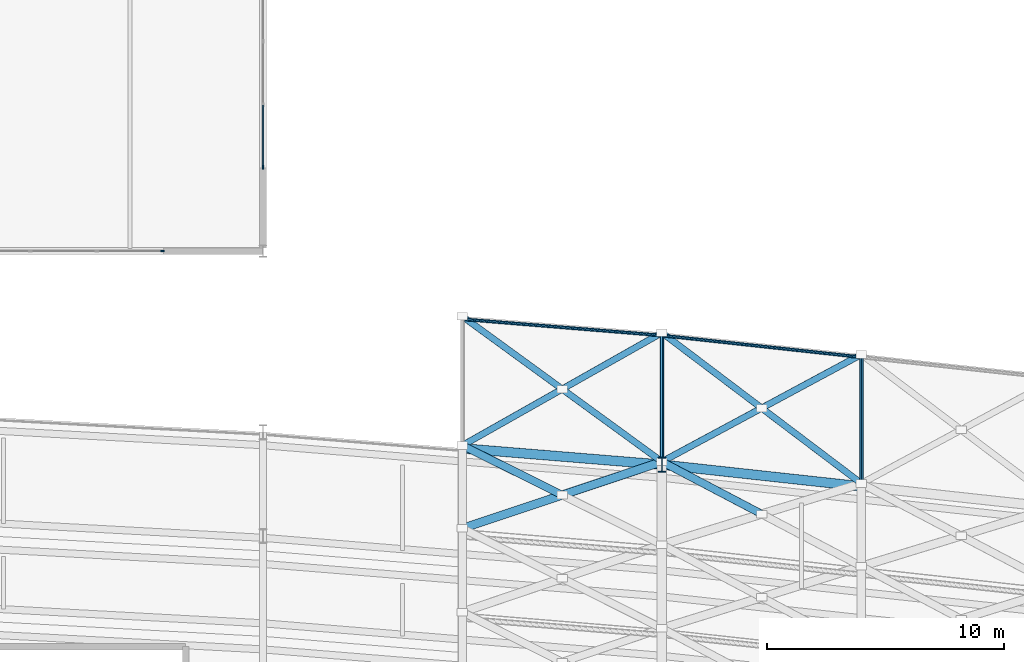
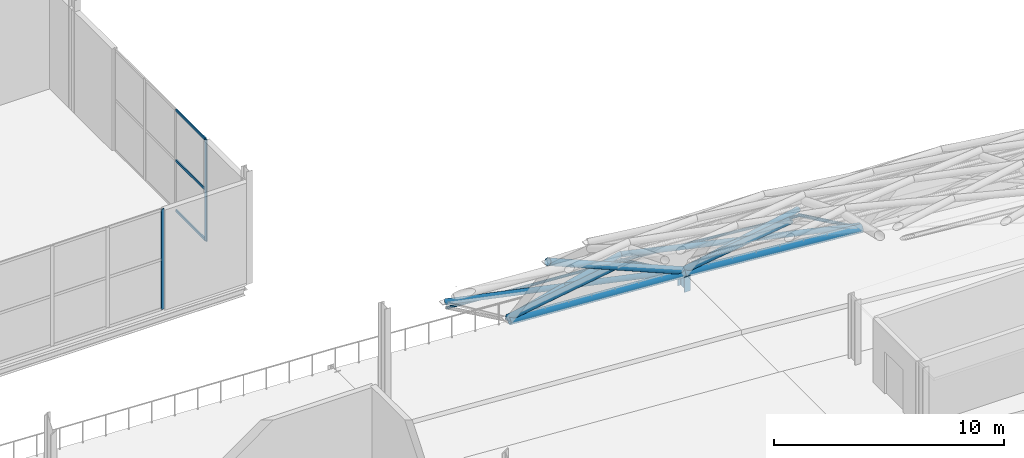
# One storey, part 59 of 100: 21 members, 2 elements without a shape of their own.
"""IFC4 building model written with IfcOpenShell, lengths in metres."""

from ifc_helpers import new_model, si_unit, direction, frame, origin, origin_2d, place, context, subcontext, project, spatial, rectangle, hollow_circle, i_section, extrude, material, material_profile, profile_set, type_object, element, aggregate, save


model = new_model("IFC4")

# Units and contexts
model_context = context("Model", 3, precision=1e-05, world=origin(), true_north=direction((0.0, 1.0)))
body_context = subcontext(model_context, "Body", "Model", "MODEL_VIEW")
ifc_project = project(units=[si_unit("LENGTHUNIT", "METRE"), si_unit("AREAUNIT", "SQUARE_METRE"), si_unit("VOLUMEUNIT", "CUBIC_METRE"), si_unit("PLANEANGLEUNIT", "RADIAN"), si_unit("MASSUNIT", "GRAM", prefix="KILO")], contexts=[model_context])

# Site, building, storey
site_placement = place(None, origin())
site = spatial("IfcSite", under=ifc_project, at=site_placement, CompositionType="ELEMENT")
building_placement = place(site_placement, origin())
building = spatial("IfcBuilding", under=site, at=building_placement, Name="Kimbaza Rail Terminus", CompositionType="ELEMENT")
storey_placement = place(building_placement, frame((0.0, 0.0, 10.800048828125)))
storey = spatial("IfcBuildingStorey", under=building, at=storey_placement, Name="L02", CompositionType="ELEMENT", Elevation=10.800048828125)

# Curtain wall, member
ifc_material_1 = material(Name="Anodised aluminium framing and solar low-E glazing", Category="aluminium")
curtain_wall_type = type_object("IfcCurtainWallType", Name="ARC-CW-OP1", PredefinedType="USERDEFINED", material=ifc_material_1)
curtain_wall_1_placement = place(storey_placement, origin())
curtain_wall_1 = element("IfcCurtainWall", 1, at=curtain_wall_1_placement, inside=storey, type_object=curtain_wall_type, Name="Operations South Curtain Wall L02 Bay 6", ObjectType="UNITISED CURTAIN WALL", PredefinedType="USERDEFINED")
ifc_material_2 = material(Name="Anodised architectural aluminium", Category="aluminium")
ifc_material_profile_1 = material_profile(ifc_material_2, rectangle(XDim=0.06201171875, YDim=0.1650390625, at=origin_2d()), Name="MULLION 62x165")
ifc_profile_set_1 = profile_set([ifc_material_profile_1], Name="Anodised architectural aluminium")
member_type_1 = type_object("IfcMemberType", Name="ARC-CWM-05", PredefinedType="MULLION", material=ifc_profile_set_1)
member_1_placement = place(storey_placement, frame((151.76904296875, 103.0, 0.0), z_axis=(0.0, 0.0, 1.0), x_axis=(0.0, 1.0, 0.0)))
member_1 = element("IfcMember", 2, at=member_1_placement, type_object=member_type_1, Name="CW-05 mullion 4", PredefinedType="MULLION", context=body_context, shape_type="SweptSolid", body=[
    extrude(rectangle(XDim=0.06201171875, YDim=0.1650390625, at=origin_2d()), origin(), (0.0, 0.0, 1.0), 5.324951171875),
])
aggregate(curtain_wall_1, [member_1])

# Curtain wall, members
curtain_wall_2_placement = place(storey_placement, origin())
curtain_wall_2 = element("IfcCurtainWall", 3, at=curtain_wall_2_placement, inside=storey, type_object=curtain_wall_type, Name="Operations E Curtain Wall L02.1", ObjectType="UNITISED CURTAIN WALL", PredefinedType="USERDEFINED")
member_2_placement = place(storey_placement, frame((156.0, 106.531005859375, 0.0), z_axis=(0.0, 0.0, 1.0), x_axis=(-1.0, 0.0, 0.0)))
member_2 = element("IfcMember", 4, at=member_2_placement, type_object=member_type_1, Name="CW-05 mullion 1", PredefinedType="MULLION", context=body_context, shape_type="SweptSolid", body=[
    extrude(rectangle(XDim=0.06201171875, YDim=0.1650390625, at=origin_2d()), origin(), (0.0, 0.0, 1.0), 5.405029296875),
])
ifc_material_3 = material(Name="Anodised architectural aluminium", Category="aluminium")
ifc_material_profile_2 = material_profile(ifc_material_3, rectangle(XDim=0.06201171875, YDim=0.135009765625, at=origin_2d()), Name="TRANSOM 62x135")
ifc_profile_set_2 = profile_set([ifc_material_profile_2], Name="Anodised architectural aluminium")
member_type_2 = type_object("IfcMemberType", Name="ARC-CWT-05", PredefinedType="USERDEFINED", material=ifc_profile_set_2)
member_3_placement = place(storey_placement, frame((156.0, 106.56201171875, 0.031005859375), z_axis=(0.0, 1.0, 0.0), x_axis=(-1.0, 0.0, 0.0)))
member_3 = element("IfcMember", 5, at=member_3_placement, type_object=member_type_2, Name="CW-05 transom 1.1", ObjectType="TRANSOM", PredefinedType="USERDEFINED", context=body_context, shape_type="SweptSolid", body=[
    extrude(rectangle(XDim=0.06201171875, YDim=0.135009765625, at=origin_2d()), origin(), (0.0, 0.0, 1.0), 2.57373046875),
])
member_4_placement = place(storey_placement, frame((156.0, 106.56201171875, 2.702392578125), z_axis=(0.0, 1.0, 0.0), x_axis=(-1.0, 0.0, 0.0)))
member_4 = element("IfcMember", 6, at=member_4_placement, type_object=member_type_2, Name="CW-05 transom 1.2", ObjectType="TRANSOM", PredefinedType="USERDEFINED", context=body_context, shape_type="SweptSolid", body=[
    extrude(rectangle(XDim=0.06201171875, YDim=0.135009765625, at=origin_2d()), origin(), (0.0, 0.0, 1.0), 2.57373046875),
])
member_5_placement = place(storey_placement, frame((156.0, 106.56201171875, 5.3740234375), z_axis=(0.0, 1.0, 0.0), x_axis=(-1.0, 0.0, 0.0)))
member_5 = element("IfcMember", 7, at=member_5_placement, type_object=member_type_2, Name="CW-05 transom 1.3", ObjectType="TRANSOM", PredefinedType="USERDEFINED", context=body_context, shape_type="SweptSolid", body=[
    extrude(rectangle(XDim=0.06201171875, YDim=0.135009765625, at=origin_2d()), origin(), (0.0, 0.0, 1.0), 2.57373046875),
])
aggregate(curtain_wall_2, [member_2, member_3, member_4, member_5])

# Members
ifc_material_4 = material(Name="White painted steel S355", Category="steel")
ifc_material_profile_3 = material_profile(ifc_material_4, hollow_circle(Radius=0.06982421875, WallThickness=0.00634765625, at=origin_2d()), Name="CHS 139.7x6.3")
ifc_profile_set_3 = profile_set([ifc_material_profile_3], Name="White painted steel S355")
member_type_3 = type_object("IfcMemberType", Name="STR-MB-CHS139", PredefinedType="COLLAR", material=ifc_profile_set_3)
member_6_placement = place(storey_placement, frame((164.39990234375, 100.1328125, -2.62744140625), z_axis=(0.996688689454, -0.081312092054, 0.0), x_axis=(0.081312092054, 0.996688689454, 0.0)))
element("IfcMember", 8, at=member_6_placement, inside=storey, type_object=member_type_3, Name="Vault lattice longitudinal purlin VR-17-VA14", PredefinedType="COLLAR", context=body_context, shape_type="SweptSolid", body=[
    extrude(hollow_circle(Radius=0.06982421875, WallThickness=0.00634765625, at=origin_2d()), origin(), (0.0, 0.0, 1.0), 8.427978515625),
])
member_7_placement = place(storey_placement, frame((172.800048828125, 99.447509765625, -2.62744140625), z_axis=(0.99410959352, -0.108379500241, 0.0), x_axis=(0.108379500241, 0.99410959352, 0.0)))
element("IfcMember", 9, at=member_7_placement, inside=storey, type_object=member_type_3, Name="Vault lattice longitudinal purlin VR-18-VA14", PredefinedType="COLLAR", context=body_context, shape_type="SweptSolid", body=[
    extrude(hollow_circle(Radius=0.06982421875, WallThickness=0.00634765625, at=origin_2d()), origin(), (0.0, 0.0, 1.0), 8.44970703125),
])
ifc_material_5 = material(Name="White painted steel S355", Category="steel")
ifc_material_profile_4 = material_profile(ifc_material_5, hollow_circle(Radius=0.084228515625, WallThickness=0.00634765625, at=origin_2d()), Name="CHS 168.3x6.3")
ifc_profile_set_4 = profile_set([ifc_material_profile_4], Name="White painted steel S355")
member_type_4 = type_object("IfcMemberType", Name="STR-MB-CHS168", PredefinedType="RAFTER", material=ifc_profile_set_4)
for number, where, z_axis, x_axis, name in (
    (10, (172.800048828125, 94.00537109375, 0.0), (0.0, 0.901963905621, -0.431811432174), (-1.0, 0.0, 0.0), "Vault lattice arch chord VR-18 seg 14"),
    (11, (181.199951171875, 93.089599609375, 0.0), (0.0, 0.901963905621, -0.431811432174), (-1.0, 0.0, 0.0), "Vault lattice arch chord VR-19 seg 14"),
):
    element("IfcMember", number, at=place(storey_placement, frame(where, z_axis=z_axis, x_axis=x_axis)), inside=storey, type_object=member_type_4, Name=name, PredefinedType="RAFTER", context=body_context, shape_type="SweptSolid", body=[
        extrude(hollow_circle(Radius=0.084228515625, WallThickness=0.00634765625, at=origin_2d()), origin(), (0.0, 0.0, 1.0), 6.04296875),
    ])
ifc_material_6 = material(Name="White painted steel S355", Category="steel")
ifc_material_profile_5 = material_profile(ifc_material_6, hollow_circle(Radius=0.136474609375, WallThickness=0.010009765625, at=origin_2d()), Name="CHS 273x10")
ifc_profile_set_5 = profile_set([ifc_material_profile_5], Name="White painted steel S355")
member_type_5 = type_object("IfcMemberType", Name="STR-MB-CHS273", PredefinedType="STRUT", material=ifc_profile_set_5)
member_8_placement = place(storey_placement, frame((164.39990234375, 94.81494140625, 0.064208984375), z_axis=(0.844048010936, 0.477109011675, -0.244846781096), x_axis=(-0.492087270091, 0.870545873929, 0.0)))
element("IfcMember", 12, at=member_8_placement, inside=storey, type_object=member_type_5, Name="Vault lattice diagonal A VR-17-VA13", PredefinedType="STRUT", context=body_context, shape_type="SweptSolid", body=[
    extrude(hollow_circle(Radius=0.136474609375, WallThickness=0.010009765625, at=origin_2d()), origin(), (0.0, 0.0, 1.0), 9.9521484375),
])
member_9_placement = place(storey_placement, frame((172.800048828125, 94.1298828125, 0.064208984375), z_axis=(-0.78694630795, 0.573227006041, -0.228311865546), x_axis=(-0.588777774906, -0.808294953452, 0.0)))
element("IfcMember", 13, at=member_9_placement, inside=storey, type_object=member_type_5, Name="Vault lattice diagonal B1 VR-17-VA13", PredefinedType="STRUT", context=body_context, shape_type="SweptSolid", body=[
    extrude(hollow_circle(Radius=0.136474609375, WallThickness=0.010009765625, at=origin_2d()), origin(), (0.0, 0.0, 1.0), 5.3369140625),
])
member_10_placement = place(storey_placement, frame((168.60009765625, 97.189208984375, -1.154296875), z_axis=(-0.786971940542, 0.573212356832, -0.228260287335), x_axis=(-0.58875541475, -0.808311240552, 0.0)))
element("IfcMember", 14, at=member_10_placement, inside=storey, type_object=member_type_5, Name="Vault lattice diagonal B2 VR-17-VA13", PredefinedType="STRUT", context=body_context, shape_type="SweptSolid", body=[
    extrude(hollow_circle(Radius=0.136474609375, WallThickness=0.010009765625, at=origin_2d()), origin(), (0.0, 0.0, 1.0), 5.337158203125),
])
member_11_placement = place(storey_placement, frame((172.800048828125, 94.1298828125, 0.064208984375), z_axis=(0.853300104894, 0.458916036184, -0.247537881385), x_axis=(-0.473657089864, 0.88070935116, 0.0)))
element("IfcMember", 15, at=member_11_placement, inside=storey, type_object=member_type_5, Name="Vault lattice diagonal A VR-18-VA13", PredefinedType="STRUT", context=body_context, shape_type="SweptSolid", body=[
    extrude(hollow_circle(Radius=0.136474609375, WallThickness=0.010009765625, at=origin_2d()), origin(), (0.0, 0.0, 1.0), 9.843994140625),
])
member_12_placement = place(storey_placement, frame((181.199951171875, 93.2138671875, 0.064208984375), z_axis=(-0.777186181775, 0.587486433053, -0.225480220499), x_axis=(-0.603015439959, -0.797729515043, 0.0)))
element("IfcMember", 16, at=member_12_placement, inside=storey, type_object=member_type_5, Name="Vault lattice diagonal B1 VR-18-VA13", PredefinedType="STRUT", context=body_context, shape_type="SweptSolid", body=[
    extrude(hollow_circle(Radius=0.136474609375, WallThickness=0.010009765625, at=origin_2d()), origin(), (0.0, 0.0, 1.0), 5.404052734375),
])
member_13_placement = place(storey_placement, frame((177.0, 96.388671875, -1.154296875), z_axis=(-0.777214726015, 0.587462831039, -0.22544332284), x_axis=(-0.602985929157, -0.797751821833, 0.0)))
element("IfcMember", 17, at=member_13_placement, inside=storey, type_object=member_type_5, Name="Vault lattice diagonal B2 VR-18-VA13", PredefinedType="STRUT", context=body_context, shape_type="SweptSolid", body=[
    extrude(hollow_circle(Radius=0.136474609375, WallThickness=0.010009765625, at=origin_2d()), origin(), (0.0, 0.0, 1.0), 5.40380859375),
])
ifc_material_7 = material(Name="White painted steel S355", Category="steel")
ifc_material_profile_6 = material_profile(ifc_material_7, hollow_circle(Radius=0.161865234375, WallThickness=0.010009765625, at=origin_2d()), Name="CHS 323.9x10")
ifc_profile_set_6 = profile_set([ifc_material_profile_6], Name="White painted steel S355")
member_type_6 = type_object("IfcMemberType", Name="STR-MB-CHS323", PredefinedType="STRUT", material=ifc_profile_set_6)
member_14_placement = place(storey_placement, frame((168.60009765625, 92.726806640625, 2.615966796875), z_axis=(-0.786583560294, 0.391051452639, -0.477875573831), x_axis=(-0.445172124768, -0.89544501748, 0.0)))
element("IfcMember", 18, at=member_14_placement, inside=storey, type_object=member_type_6, Name="Vault lattice diagonal B2 VR-17-VA12", PredefinedType="STRUT", context=body_context, shape_type="SweptSolid", body=[
    extrude(hollow_circle(Radius=0.161865234375, WallThickness=0.010009765625, at=origin_2d()), origin(), (0.0, 0.0, 1.0), 5.33984375),
])
member_15_placement = place(storey_placement, frame((177.0, 91.92626953125, 2.615966796875), z_axis=(-0.779817656021, 0.409151552825, -0.473792602495), x_axis=(-0.464608919448, -0.88551598064, 0.0)))
element("IfcMember", 19, at=member_15_placement, inside=storey, type_object=member_type_6, Name="Vault lattice diagonal B2 VR-18-VA12", PredefinedType="STRUT", context=body_context, shape_type="SweptSolid", body=[
    extrude(hollow_circle(Radius=0.161865234375, WallThickness=0.010009765625, at=origin_2d()), origin(), (0.0, 0.0, 1.0), 5.3857421875),
])
ifc_material_8 = material(Name="White painted steel S355", Category="steel")
ifc_material_profile_7 = material_profile(ifc_material_8, hollow_circle(Radius=0.177734375, WallThickness=0.012451171875, at=origin_2d()), Name="CHS 355.6x12.5")
ifc_profile_set_7 = profile_set([ifc_material_profile_7], Name="White painted steel S355")
member_type_7 = type_object("IfcMemberType", Name="STR-MB-CHS355", PredefinedType="CHORD", material=ifc_profile_set_7)
member_16_placement = place(storey_placement, frame((164.39990234375, 91.323974609375, 5.167724609375), z_axis=(0.821802118662, 0.274507273223, -0.499286525664), x_axis=(-0.316823142682, 0.948484631537, 0.0)))
element("IfcMember", 20, at=member_16_placement, inside=storey, type_object=member_type_7, Name="Vault lattice diagonal A VR-17-VA12", PredefinedType="CHORD", context=body_context, shape_type="SweptSolid", body=[
    extrude(hollow_circle(Radius=0.177734375, WallThickness=0.012451171875, at=origin_2d()), origin(), (0.0, 0.0, 1.0), 10.2216796875),
])
ifc_material_9 = material(Name="White painted steel S355", Category="steel")
ifc_material_profile_8 = material_profile(ifc_material_9, hollow_circle(Radius=0.203125, WallThickness=0.01416015625, at=origin_2d()), Name="CHS 406.4x14.2")
ifc_profile_set_8 = profile_set([ifc_material_profile_8], Name="White painted steel S355")
member_type_8 = type_object("IfcMemberType", Name="STR-MB-CHS406", PredefinedType="CHORD", material=ifc_profile_set_8)
member_17_placement = place(storey_placement, frame((164.39990234375, 94.690673828125, 0.0), z_axis=(0.996688689454, -0.081312092054, 0.0), x_axis=(0.081312092054, 0.996688689454, 0.0)))
element("IfcMember", 21, at=member_17_placement, inside=storey, type_object=member_type_8, Name="Vault lattice springing ring chord VR-17", PredefinedType="CHORD", context=body_context, shape_type="SweptSolid", body=[
    extrude(hollow_circle(Radius=0.203125, WallThickness=0.01416015625, at=origin_2d()), origin(), (0.0, 0.0, 1.0), 8.427978515625),
])
member_18_placement = place(storey_placement, frame((172.800048828125, 94.00537109375, 0.0), z_axis=(0.99410959352, -0.108379500241, 0.0), x_axis=(0.108379500241, 0.99410959352, 0.0)))
element("IfcMember", 22, at=member_18_placement, inside=storey, type_object=member_type_8, Name="Vault lattice springing ring chord VR-18", PredefinedType="CHORD", context=body_context, shape_type="SweptSolid", body=[
    extrude(hollow_circle(Radius=0.203125, WallThickness=0.01416015625, at=origin_2d()), origin(), (0.0, 0.0, 1.0), 8.44970703125),
])
ifc_material_10 = material(Name="Steel S355", Category="steel")
ifc_material_profile_9 = material_profile(ifc_material_10, i_section(OverallWidth=0.304931640625, OverallDepth=0.6201171875, WebThickness=0.02099609375, FlangeThickness=0.0400390625, FilletRadius=0.027099609375, at=origin_2d()), Name="HEM 600")
ifc_profile_set_9 = profile_set([ifc_material_profile_9], Name="Steel S355")
member_type_9 = type_object("IfcMemberType", Name="STR-MB-HEM600", PredefinedType="POST", material=ifc_profile_set_9)
member_19_placement = place(storey_placement, frame((172.800048828125, 94.00537109375, -0.800048828125), z_axis=(0.0, 0.0, 1.0), x_axis=(1.0, 0.0, 0.0)))
element("IfcMember", 23, at=member_19_placement, inside=storey, type_object=member_type_9, Name="Vault Springing Shoe Pedestal N VP-10", PredefinedType="POST", context=body_context, shape_type="SweptSolid", body=[
    extrude(i_section(OverallWidth=0.304931640625, OverallDepth=0.6201171875, WebThickness=0.02099609375, FlangeThickness=0.0400390625, FilletRadius=0.027099609375, at=origin_2d()), origin(), (0.0, 0.0, 1.0), 0.800048828125),
])

save(model, "model.ifc")
